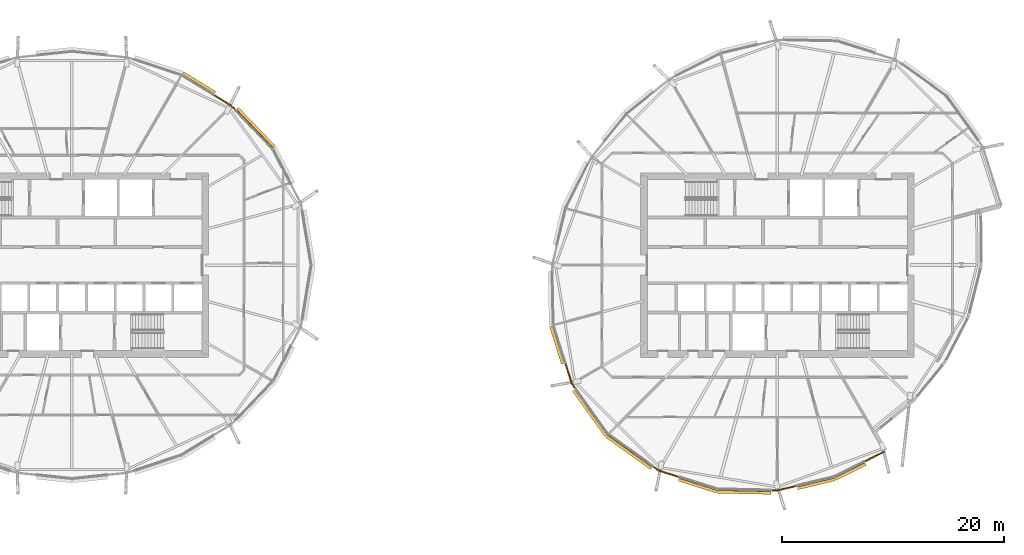
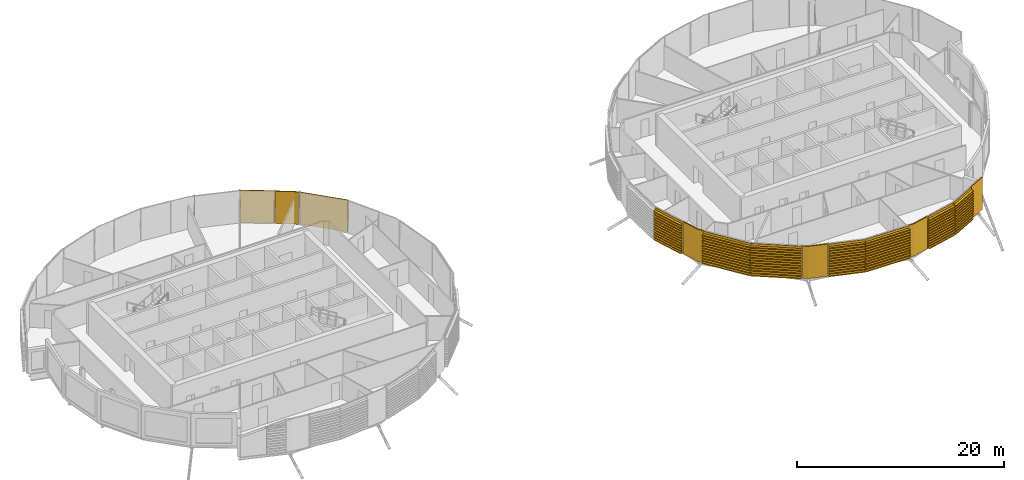
# One storey, part 33 of 35: 14 coverings.
"""IFC4 building model written with IfcOpenShell, lengths in metres."""

import ifcopenshell
import ifcopenshell.guid

model = None  # the IFC model being written
_history = None  # IfcOwnerHistory: only IFC2X3 demands one
_inside = {}  # id of a spatial element -> (the spatial element, [elements in it])
_under = {}  # id of a project, library or spatial element -> (it, [spatial elements below it])
_declared = {}  # id of a project -> (the project, [libraries it declares])
_typed = {}  # id of a type object -> (the type object, [elements of that type])
_made_of = {}  # id of a material, layer set ... -> (it, [elements and type objects made of it])


def new_model(schema):
    """Start an empty IFC model of exactly this schema.

    Asked for "IFC4X3", IfcOpenShell would pick the latest addendum, in which some entities
    have other attributes; the version numbers below select the first issue.
    IFC2X3 requires an IfcOwnerHistory on every rooted entity: one is made here for all.
    """
    global model, _history
    if schema == "IFC4X3":
        model = ifcopenshell.file(schema_version=(4, 3, 0, 0))
    else:
        model = ifcopenshell.file(schema=schema)
    _inside.clear()
    _under.clear()
    _declared.clear()
    _typed.clear()
    _made_of.clear()
    _history = None
    if model.schema == "IFC2X3":
        org = make("IfcOrganization", Name="unknown")
        user = make(
            "IfcPersonAndOrganization",
            ThePerson=make("IfcPerson", FamilyName="unknown"),
            TheOrganization=org,
        )
        app = make(
            "IfcApplication",
            ApplicationDeveloper=org,
            Version="unknown",
            ApplicationFullName="unknown",
            ApplicationIdentifier="unknown",
        )
        _history = make(
            "IfcOwnerHistory",
            OwningUser=user,
            OwningApplication=app,
            ChangeAction="ADDED",
            CreationDate=0,
        )
    return model


def make(cls, **values):
    """One entity of the class cls with the attributes given. An attribute that is None is left unset."""
    return model.create_entity(
        cls, **{name: value for name, value in values.items() if value is not None}
    )


def rooted(cls, **values):
    """An entity with a GlobalId (a new one), such as an element, a storey or a relation."""
    return make(cls, GlobalId=ifcopenshell.guid.new(), OwnerHistory=_history, **values)


def si_unit(unit_type, name, prefix=None):
    """IfcSIUnit, for example si_unit("LENGTHUNIT", "METRE", prefix="MILLI")."""
    return make("IfcSIUnit", UnitType=unit_type, Prefix=prefix, Name=name)


def assignment(units):
    """IfcUnitAssignment: the units of a project."""
    return None if units is None else make("IfcUnitAssignment", Units=units)


def point(xyz):
    """IfcCartesianPoint."""
    return None if xyz is None else make("IfcCartesianPoint", Coordinates=xyz)


def direction(xyz):
    """IfcDirection."""
    return None if xyz is None else make("IfcDirection", DirectionRatios=xyz)


def frame(location, z_axis=None, x_axis=None):
    """IfcAxis2Placement3D, a coordinate frame: its origin and axes. An axis left out is left unset."""
    return make(
        "IfcAxis2Placement3D",
        Location=point(location),
        Axis=direction(z_axis),
        RefDirection=direction(x_axis),
    )


def origin():
    """The frame at (0, 0, 0) with its axes left unset."""
    return frame((0.0, 0.0, 0.0))


def place(relative_to, where):
    """IfcLocalPlacement: puts the frame where relative to a parent placement (None: the world)."""
    return make(
        "IfcLocalPlacement", PlacementRelTo=relative_to, RelativePlacement=where
    )


def context(
    kind, dimensions, precision=None, world=None, true_north=None, identifier=None
):
    """IfcGeometricRepresentationContext, for example the 3D "Model" context."""
    return make(
        "IfcGeometricRepresentationContext",
        ContextIdentifier=identifier,
        ContextType=kind,
        CoordinateSpaceDimension=dimensions,
        Precision=precision,
        WorldCoordinateSystem=world,
        TrueNorth=true_north,
    )


def subcontext(parent, identifier, kind, view, scale=None):
    """IfcGeometricRepresentationSubContext, for example "Body" below "Model"."""
    return make(
        "IfcGeometricRepresentationSubContext",
        ContextIdentifier=identifier,
        ContextType=kind,
        ParentContext=parent,
        TargetScale=scale,
        TargetView=view,
    )


def project(units=None, contexts=None):
    """IfcProject with its units and contexts."""
    return rooted(
        "IfcProject",
        Name="project",
        RepresentationContexts=contexts,
        UnitsInContext=assignment(units),
    )


def spatial(cls, under=None, at=None, **own):
    """A site, building, storey or space (cls), placed at a placement, below another one or the project."""
    s = rooted(cls, ObjectPlacement=at, **own)
    if under is not None:
        _under.setdefault(under.id(), (under, []))[1].append(s)
    return s


def polyline(points):
    """IfcPolyline through the points."""
    return make("IfcPolyline", Points=[point(p) for p in points])


def outline(outer, holes=None, kind="AREA"):
    """IfcArbitraryClosedProfileDef: a profile drawn as a closed curve; with holes, ...WithVoids."""
    if holes is None:
        return make("IfcArbitraryClosedProfileDef", ProfileType=kind, OuterCurve=outer)
    return make(
        "IfcArbitraryProfileDefWithVoids",
        ProfileType=kind,
        OuterCurve=outer,
        InnerCurves=holes,
    )


def extrude(swept, where, along, depth):
    """IfcExtrudedAreaSolid: the profile swept, set in the frame where, extruded along a direction by depth."""
    return make(
        "IfcExtrudedAreaSolid",
        SweptArea=swept,
        Position=where,
        ExtrudedDirection=direction(along),
        Depth=depth,
    )


def shape(context_of_items, identifier, shape_type, items):
    """IfcShapeRepresentation: the items that make up one representation, for example the "Body"."""
    return make(
        "IfcShapeRepresentation",
        ContextOfItems=context_of_items,
        RepresentationIdentifier=identifier,
        RepresentationType=shape_type,
        Items=items,
    )


def material(Name=None, Category=None):
    """IfcMaterial."""
    return make("IfcMaterial", Name=Name, Category=Category)


def layer(
    of_material, thickness, ventilated=None, Name=None, Category=None, Priority=None
):
    """IfcMaterialLayer: one layer of a wall or slab, of a material (None: an air gap)."""
    return make(
        "IfcMaterialLayer",
        Material=of_material,
        LayerThickness=thickness,
        IsVentilated=ventilated,
        Name=Name,
        Category=Category,
        Priority=Priority,
    )


def layer_set(layers, Name=None):
    """IfcMaterialLayerSet."""
    return make("IfcMaterialLayerSet", MaterialLayers=layers, LayerSetName=Name)


def material_profile(
    of_material, cross_section, Name=None, Category=None, Priority=None
):
    """IfcMaterialProfile: a cross section and its material."""
    return make(
        "IfcMaterialProfile",
        Name=Name,
        Material=of_material,
        Profile=cross_section,
        Priority=Priority,
        Category=Category,
    )


def profile_set(profiles, Name=None, composite=None):
    """IfcMaterialProfileSet."""
    return make(
        "IfcMaterialProfileSet",
        Name=Name,
        MaterialProfiles=profiles,
        CompositeProfile=composite,
    )


def made_of(thing, what):
    """Note that an element or type object is made of a material, layer set ...; save() writes the relation."""
    if what is not None:
        _made_of.setdefault(what.id(), (what, []))[1].append(thing)
    return thing


def type_object(cls, material=None, **own):
    """A type object (cls), such as IfcWallType, which elements share."""
    return made_of(rooted(cls, **own), material)


def element(
    cls,
    number,
    at=None,
    inside=None,
    cuts=None,
    type_object=None,
    material=None,
    context=None,
    identifier="Body",
    shape_type=None,
    held_by="IfcProductDefinitionShape",
    body=None,
    shapes=None,
    **own,
):
    """One element of the class cls, such as IfcWall. Its Tag is "e" and its number.

    at: its placement. inside: the storey or other place that contains it. cuts: it is an
    opening in that element (IfcRelVoidsElement). A single representation is given by context,
    identifier, shape_type and body (its items); several are given by shapes. held_by: the class
    of the entity that holds the representations. save() writes the other relations.
    """
    e = rooted(cls, Tag="e%d" % number, ObjectPlacement=at, **own)
    if body is not None:
        shapes = [shape(context, identifier, shape_type, body)]
    if shapes is not None:
        e.Representation = make(held_by, Representations=shapes)
    if inside is not None:
        _inside.setdefault(inside.id(), (inside, []))[1].append(e)
    if cuts is not None:
        rooted(
            "IfcRelVoidsElement", RelatingBuildingElement=cuts, RelatedOpeningElement=e
        )
    if type_object is not None:
        _typed.setdefault(type_object.id(), (type_object, []))[1].append(e)
    return made_of(e, material)


def aggregate(whole, parts):
    """IfcRelAggregates: a whole, such as a stair, and the parts it consists of."""
    return rooted("IfcRelAggregates", RelatingObject=whole, RelatedObjects=parts)


def save(model, path):
    """Write the relations noted so far, then the file.

    IfcRelAggregates (storeys below a building ...), IfcRelContainedInSpatialStructure (elements
    in a storey), IfcRelDefinesByType, IfcRelAssociatesMaterial and IfcRelDeclares: one each for
    every whole, place, type object, material and project.
    """
    for whole, parts in _under.values():
        aggregate(whole, parts)
    for where, things in _inside.values():
        rooted(
            "IfcRelContainedInSpatialStructure",
            RelatedElements=things,
            RelatingStructure=where,
        )
    for kind, things in _typed.values():
        rooted("IfcRelDefinesByType", RelatedObjects=things, RelatingType=kind)
    for what, things in _made_of.values():
        rooted("IfcRelAssociatesMaterial", RelatedObjects=things, RelatingMaterial=what)
    for by, libraries in _declared.values():
        rooted("IfcRelDeclares", RelatingContext=by, RelatedDefinitions=libraries)
    model.write(path)


model = new_model("IFC4")

# Units and contexts
model_context = context("Model", 3, precision=1e-05, world=origin(), true_north=direction((0.0, 1.0)))
body_context = subcontext(model_context, "Body", "Model", "MODEL_VIEW")
ifc_project = project(units=[si_unit("LENGTHUNIT", "METRE"), si_unit("AREAUNIT", "SQUARE_METRE"), si_unit("VOLUMEUNIT", "CUBIC_METRE"), si_unit("PLANEANGLEUNIT", "RADIAN"), si_unit("MASSUNIT", "GRAM", prefix="KILO")], contexts=[model_context])

# Site, building, storey
site_placement = place(None, origin())
site = spatial("IfcSite", under=ifc_project, at=site_placement, CompositionType="ELEMENT")
building_placement = place(site_placement, origin())
building = spatial("IfcBuilding", under=site, at=building_placement, Name="Rimbun Link Towers", CompositionType="ELEMENT")
storey_placement = place(building_placement, frame((0.0, 0.0, 196.89990234375)))
storey = spatial("IfcBuildingStorey", under=building, at=storey_placement, Name="L48", CompositionType="ELEMENT", Elevation=196.89990234375)

# Coverings
ifc_material_1 = material(Name="Terracotta", Category="masonry")
ifc_layer = layer(ifc_material_1, 0.1201171875)
ifc_layer_set = layer_set([ifc_layer], Name="LINK PIER terracotta cladding 120")
covering_type_1 = type_object("IfcCoveringType", Name="LINK PIER terracotta cladding 120", PredefinedType="CLADDING", material=ifc_layer_set)
covering_1_placement = place(storey_placement, origin())
element("IfcCovering", 1, at=covering_1_placement, inside=storey, type_object=covering_type_1, Name="LINK PIER cladding", PredefinedType="CLADDING", context=body_context, shape_type="SweptSolid", body=[
    extrude(outline(polyline([(-18.99267578125, 15.2607421875), (-17.441650390625, 14.308349609375), (-17.081787109375, 13.93310546875), (-16.9951171875, 14.01611328125), (-17.36572265625, 14.402587890625), (-18.9296875, 15.363037109375), (-18.99267578125, 15.2607421875)])), origin(), (0.0, 0.0, 1.0), 3.800048828125),
])
covering_2_placement = place(storey_placement, origin())
element("IfcCovering", 2, at=covering_2_placement, inside=storey, type_object=covering_type_1, Name="LINK PIER cladding", PredefinedType="CLADDING", context=body_context, shape_type="SweptSolid", body=[
    extrude(outline(polyline([(13.633544921875, -11.114501953125), (13.30126953125, -10.6513671875), (12.719482421875, -8.82177734375), (12.60498046875, -8.858154296875), (13.192626953125, -10.705810546875), (13.5361328125, -11.1845703125), (13.633544921875, -11.114501953125)])), origin(), (0.0, 0.0, 1.0), 3.800048828125),
])
covering_3_placement = place(storey_placement, origin())
element("IfcCovering", 3, at=covering_3_placement, inside=storey, type_object=covering_type_1, Name="LINK PIER cladding", PredefinedType="CLADDING", context=body_context, shape_type="SweptSolid", body=[
    extrude(outline(polyline([(22.92822265625, -19.030517578125), (21.0986328125, -18.44873046875), (20.594970703125, -18.087158203125), (20.52490234375, -18.184814453125), (21.044189453125, -18.557373046875), (22.891845703125, -19.14501953125), (22.92822265625, -19.030517578125)])), origin(), (0.0, 0.0, 1.0), 3.800048828125),
])
covering_4_placement = place(storey_placement, origin())
element("IfcCovering", 4, at=covering_4_placement, inside=storey, type_object=covering_type_1, Name="LINK PIER cladding", PredefinedType="CLADDING", context=body_context, shape_type="SweptSolid", body=[
    extrude(outline(polyline([(33.471435546875, -19.823486328125), (31.75, -20.235107421875), (31.230224609375, -20.22412109375), (31.2275390625, -20.34423828125), (31.762939453125, -20.35546875), (33.499267578125, -19.940185546875), (33.471435546875, -19.823486328125)])), origin(), (0.0, 0.0, 1.0), 3.800048828125),
])
covering_5_placement = place(storey_placement, origin())
element("IfcCovering", 5, at=covering_5_placement, inside=storey, type_object=covering_type_1, Name="LINK PIER cladding", PredefinedType="CLADDING", context=body_context, shape_type="SweptSolid", body=[
    extrude(outline(polyline([(41.3798828125, -16.7392578125), (39.6015625, -17.63232421875), (39.6552734375, -17.739501953125), (41.433837890625, -16.846435546875), (41.3798828125, -16.7392578125)])), origin(), (0.0, 0.0, 1.0), 3.800048828125),
])
ifc_material_2 = material(Name="Terracotta", Category="masonry")
ifc_material_profile = material_profile(ifc_material_2, outline(polyline([(0.123046875, 0.0), (0.1630859375, 0.0), (0.1630859375, 0.10009765625), (0.423095703125, 0.10009765625), (0.423095703125, 0.219970703125), (0.1630859375, 0.219970703125), (0.1630859375, 0.39990234375), (0.423095703125, 0.39990234375), (0.423095703125, 0.52001953125), (0.1630859375, 0.52001953125), (0.1630859375, 0.699951171875), (0.423095703125, 0.699951171875), (0.423095703125, 0.820068359375), (0.1630859375, 0.820068359375), (0.1630859375, 1.0), (0.423095703125, 1.0), (0.423095703125, 1.1201171875), (0.1630859375, 1.1201171875), (0.1630859375, 1.300048828125), (0.423095703125, 1.300048828125), (0.423095703125, 1.419921875), (0.1630859375, 1.419921875), (0.1630859375, 1.60009765625), (0.423095703125, 1.60009765625), (0.423095703125, 1.719970703125), (0.1630859375, 1.719970703125), (0.1630859375, 1.89990234375), (0.423095703125, 1.89990234375), (0.423095703125, 2.02001953125), (0.1630859375, 2.02001953125), (0.1630859375, 2.199951171875), (0.423095703125, 2.199951171875), (0.423095703125, 2.320068359375), (0.1630859375, 2.320068359375), (0.1630859375, 2.5), (0.423095703125, 2.5), (0.423095703125, 2.6201171875), (0.1630859375, 2.6201171875), (0.1630859375, 2.800048828125), (0.423095703125, 2.800048828125), (0.423095703125, 2.919921875), (0.1630859375, 2.919921875), (0.1630859375, 3.10009765625), (0.423095703125, 3.10009765625), (0.423095703125, 3.219970703125), (0.1630859375, 3.219970703125), (0.1630859375, 3.39990234375), (0.423095703125, 3.39990234375), (0.423095703125, 3.52001953125), (0.1630859375, 3.52001953125), (0.1630859375, 3.800048828125), (0.123046875, 3.800048828125), (0.123046875, 0.0)])), Name="BAGUETTE 120X300")
ifc_profile_set = profile_set([ifc_material_profile], Name="Terracotta")
covering_type_2 = type_object("IfcCoveringType", Name="TERRACOTTA BAGUETTE 120X300 H3800", PredefinedType="CLADDING", material=ifc_profile_set)
covering_6_placement = place(storey_placement, frame((-17.06103515625, 13.911376953125, 0.0), z_axis=(0.692026893446, -0.721871719039, 0.0), x_axis=(0.721871719039, 0.692026893446, 0.0)))
element("IfcCovering", 6, at=covering_6_placement, inside=storey, type_object=covering_type_2, Name="TERRACOTTA BAGUETTE", PredefinedType="CLADDING", context=body_context, shape_type="SweptSolid", body=[
    extrude(outline(polyline([(0.123046875, 0.0), (0.1630859375, 0.0), (0.1630859375, 0.10009765625), (0.423095703125, 0.10009765625), (0.423095703125, 0.219970703125), (0.1630859375, 0.219970703125), (0.1630859375, 0.39990234375), (0.423095703125, 0.39990234375), (0.423095703125, 0.52001953125), (0.1630859375, 0.52001953125), (0.1630859375, 0.699951171875), (0.423095703125, 0.699951171875), (0.423095703125, 0.820068359375), (0.1630859375, 0.820068359375), (0.1630859375, 1.0), (0.423095703125, 1.0), (0.423095703125, 1.1201171875), (0.1630859375, 1.1201171875), (0.1630859375, 1.300048828125), (0.423095703125, 1.300048828125), (0.423095703125, 1.419921875), (0.1630859375, 1.419921875), (0.1630859375, 1.60009765625), (0.423095703125, 1.60009765625), (0.423095703125, 1.719970703125), (0.1630859375, 1.719970703125), (0.1630859375, 1.89990234375), (0.423095703125, 1.89990234375), (0.423095703125, 2.02001953125), (0.1630859375, 2.02001953125), (0.1630859375, 2.199951171875), (0.423095703125, 2.199951171875), (0.423095703125, 2.320068359375), (0.1630859375, 2.320068359375), (0.1630859375, 2.5), (0.423095703125, 2.5), (0.423095703125, 2.6201171875), (0.1630859375, 2.6201171875), (0.1630859375, 2.800048828125), (0.423095703125, 2.800048828125), (0.423095703125, 2.919921875), (0.1630859375, 2.919921875), (0.1630859375, 3.10009765625), (0.423095703125, 3.10009765625), (0.423095703125, 3.219970703125), (0.1630859375, 3.219970703125), (0.1630859375, 3.39990234375), (0.423095703125, 3.39990234375), (0.423095703125, 3.52001953125), (0.1630859375, 3.52001953125), (0.1630859375, 3.800048828125), (0.123046875, 3.800048828125), (0.123046875, 0.0)])), origin(), (0.0, 0.0, 1.0), 4.8427734375),
])
covering_7_placement = place(storey_placement, frame((-21.906494140625, 17.0498046875, 0.0), z_axis=(0.852192074263, -0.523229078476, 0.0), x_axis=(0.523229078476, 0.852192074263, 0.0)))
element("IfcCovering", 7, at=covering_7_placement, inside=storey, type_object=covering_type_2, Name="TERRACOTTA BAGUETTE", PredefinedType="CLADDING", context=body_context, shape_type="SweptSolid", body=[
    extrude(outline(polyline([(0.123046875, 0.0), (0.1630859375, 0.0), (0.1630859375, 0.10009765625), (0.423095703125, 0.10009765625), (0.423095703125, 0.219970703125), (0.1630859375, 0.219970703125), (0.1630859375, 0.39990234375), (0.423095703125, 0.39990234375), (0.423095703125, 0.52001953125), (0.1630859375, 0.52001953125), (0.1630859375, 0.699951171875), (0.423095703125, 0.699951171875), (0.423095703125, 0.820068359375), (0.1630859375, 0.820068359375), (0.1630859375, 1.0), (0.423095703125, 1.0), (0.423095703125, 1.1201171875), (0.1630859375, 1.1201171875), (0.1630859375, 1.300048828125), (0.423095703125, 1.300048828125), (0.423095703125, 1.419921875), (0.1630859375, 1.419921875), (0.1630859375, 1.60009765625), (0.423095703125, 1.60009765625), (0.423095703125, 1.719970703125), (0.1630859375, 1.719970703125), (0.1630859375, 1.89990234375), (0.423095703125, 1.89990234375), (0.423095703125, 2.02001953125), (0.1630859375, 2.02001953125), (0.1630859375, 2.199951171875), (0.423095703125, 2.199951171875), (0.423095703125, 2.320068359375), (0.1630859375, 2.320068359375), (0.1630859375, 2.5), (0.423095703125, 2.5), (0.423095703125, 2.6201171875), (0.1630859375, 2.6201171875), (0.1630859375, 2.800048828125), (0.423095703125, 2.800048828125), (0.423095703125, 2.919921875), (0.1630859375, 2.919921875), (0.1630859375, 3.10009765625), (0.423095703125, 3.10009765625), (0.423095703125, 3.219970703125), (0.1630859375, 3.219970703125), (0.1630859375, 3.39990234375), (0.423095703125, 3.39990234375), (0.423095703125, 3.52001953125), (0.1630859375, 3.52001953125), (0.1630859375, 3.800048828125), (0.123046875, 3.800048828125), (0.123046875, 0.0)])), origin(), (0.0, 0.0, 1.0), 3.389404296875),
])
covering_8_placement = place(storey_placement, frame((12.710205078125, -8.793212890625, 0.0), z_axis=(-0.303065321002, 0.952969785043, 0.0), x_axis=(-0.952969785043, -0.303065321002, 0.0)))
element("IfcCovering", 8, at=covering_8_placement, inside=storey, type_object=covering_type_2, Name="TERRACOTTA BAGUETTE", PredefinedType="CLADDING", context=body_context, shape_type="SweptSolid", body=[
    extrude(outline(polyline([(0.123046875, 0.0), (0.1630859375, 0.0), (0.1630859375, 0.10009765625), (0.423095703125, 0.10009765625), (0.423095703125, 0.219970703125), (0.1630859375, 0.219970703125), (0.1630859375, 0.39990234375), (0.423095703125, 0.39990234375), (0.423095703125, 0.52001953125), (0.1630859375, 0.52001953125), (0.1630859375, 0.699951171875), (0.423095703125, 0.699951171875), (0.423095703125, 0.820068359375), (0.1630859375, 0.820068359375), (0.1630859375, 1.0), (0.423095703125, 1.0), (0.423095703125, 1.1201171875), (0.1630859375, 1.1201171875), (0.1630859375, 1.300048828125), (0.423095703125, 1.300048828125), (0.423095703125, 1.419921875), (0.1630859375, 1.419921875), (0.1630859375, 1.60009765625), (0.423095703125, 1.60009765625), (0.423095703125, 1.719970703125), (0.1630859375, 1.719970703125), (0.1630859375, 1.89990234375), (0.423095703125, 1.89990234375), (0.423095703125, 2.02001953125), (0.1630859375, 2.02001953125), (0.1630859375, 2.199951171875), (0.423095703125, 2.199951171875), (0.423095703125, 2.320068359375), (0.1630859375, 2.320068359375), (0.1630859375, 2.5), (0.423095703125, 2.5), (0.423095703125, 2.6201171875), (0.1630859375, 2.6201171875), (0.1630859375, 2.800048828125), (0.423095703125, 2.800048828125), (0.423095703125, 2.919921875), (0.1630859375, 2.919921875), (0.1630859375, 3.10009765625), (0.423095703125, 3.10009765625), (0.423095703125, 3.219970703125), (0.1630859375, 3.219970703125), (0.1630859375, 3.39990234375), (0.423095703125, 3.39990234375), (0.423095703125, 3.52001953125), (0.1630859375, 3.52001953125), (0.1630859375, 3.800048828125), (0.123046875, 3.800048828125), (0.123046875, 0.0)])), origin(), (0.0, 0.0, 1.0), 3.569580078125),
])
covering_9_placement = place(storey_placement, frame((16.558837890625, -15.191162109375, 0.0), z_axis=(-0.582996394651, 0.812474740422, 0.0), x_axis=(-0.812474740422, -0.582996394651, 0.0)))
element("IfcCovering", 9, at=covering_9_placement, inside=storey, type_object=covering_type_2, Name="TERRACOTTA BAGUETTE", PredefinedType="CLADDING", context=body_context, shape_type="SweptSolid", body=[
    extrude(outline(polyline([(0.123046875, 0.0), (0.1630859375, 0.0), (0.1630859375, 0.10009765625), (0.423095703125, 0.10009765625), (0.423095703125, 0.219970703125), (0.1630859375, 0.219970703125), (0.1630859375, 0.39990234375), (0.423095703125, 0.39990234375), (0.423095703125, 0.52001953125), (0.1630859375, 0.52001953125), (0.1630859375, 0.699951171875), (0.423095703125, 0.699951171875), (0.423095703125, 0.820068359375), (0.1630859375, 0.820068359375), (0.1630859375, 1.0), (0.423095703125, 1.0), (0.423095703125, 1.1201171875), (0.1630859375, 1.1201171875), (0.1630859375, 1.300048828125), (0.423095703125, 1.300048828125), (0.423095703125, 1.419921875), (0.1630859375, 1.419921875), (0.1630859375, 1.60009765625), (0.423095703125, 1.60009765625), (0.423095703125, 1.719970703125), (0.1630859375, 1.719970703125), (0.1630859375, 1.89990234375), (0.423095703125, 1.89990234375), (0.423095703125, 2.02001953125), (0.1630859375, 2.02001953125), (0.1630859375, 2.199951171875), (0.423095703125, 2.199951171875), (0.423095703125, 2.320068359375), (0.1630859375, 2.320068359375), (0.1630859375, 2.5), (0.423095703125, 2.5), (0.423095703125, 2.6201171875), (0.1630859375, 2.6201171875), (0.1630859375, 2.800048828125), (0.423095703125, 2.800048828125), (0.423095703125, 2.919921875), (0.1630859375, 2.919921875), (0.1630859375, 3.10009765625), (0.423095703125, 3.10009765625), (0.423095703125, 3.219970703125), (0.1630859375, 3.219970703125), (0.1630859375, 3.39990234375), (0.423095703125, 3.39990234375), (0.423095703125, 3.52001953125), (0.1630859375, 3.52001953125), (0.1630859375, 3.800048828125), (0.123046875, 3.800048828125), (0.123046875, 0.0)])), origin(), (0.0, 0.0, 1.0), 4.987548828125),
])
covering_10_placement = place(storey_placement, frame((20.570556640625, -18.06982421875, 0.0), z_axis=(-0.812472062268, 0.583000126959, 0.0), x_axis=(-0.583000126959, -0.812472062268, 0.0)))
element("IfcCovering", 10, at=covering_10_placement, inside=storey, type_object=covering_type_2, Name="TERRACOTTA BAGUETTE", PredefinedType="CLADDING", context=body_context, shape_type="SweptSolid", body=[
    extrude(outline(polyline([(0.123046875, 0.0), (0.1630859375, 0.0), (0.1630859375, 0.10009765625), (0.423095703125, 0.10009765625), (0.423095703125, 0.219970703125), (0.1630859375, 0.219970703125), (0.1630859375, 0.39990234375), (0.423095703125, 0.39990234375), (0.423095703125, 0.52001953125), (0.1630859375, 0.52001953125), (0.1630859375, 0.699951171875), (0.423095703125, 0.699951171875), (0.423095703125, 0.820068359375), (0.1630859375, 0.820068359375), (0.1630859375, 1.0), (0.423095703125, 1.0), (0.423095703125, 1.1201171875), (0.1630859375, 1.1201171875), (0.1630859375, 1.300048828125), (0.423095703125, 1.300048828125), (0.423095703125, 1.419921875), (0.1630859375, 1.419921875), (0.1630859375, 1.60009765625), (0.423095703125, 1.60009765625), (0.423095703125, 1.719970703125), (0.1630859375, 1.719970703125), (0.1630859375, 1.89990234375), (0.423095703125, 1.89990234375), (0.423095703125, 2.02001953125), (0.1630859375, 2.02001953125), (0.1630859375, 2.199951171875), (0.423095703125, 2.199951171875), (0.423095703125, 2.320068359375), (0.1630859375, 2.320068359375), (0.1630859375, 2.5), (0.423095703125, 2.5), (0.423095703125, 2.6201171875), (0.1630859375, 2.6201171875), (0.1630859375, 2.800048828125), (0.423095703125, 2.800048828125), (0.423095703125, 2.919921875), (0.1630859375, 2.919921875), (0.1630859375, 3.10009765625), (0.423095703125, 3.10009765625), (0.423095703125, 3.219970703125), (0.1630859375, 3.219970703125), (0.1630859375, 3.39990234375), (0.423095703125, 3.39990234375), (0.423095703125, 3.52001953125), (0.1630859375, 3.52001953125), (0.1630859375, 3.800048828125), (0.123046875, 3.800048828125), (0.123046875, 0.0)])), origin(), (0.0, 0.0, 1.0), 4.937744140625),
])
covering_11_placement = place(storey_placement, frame((26.3583984375, -20.12158203125, 0.0), z_axis=(-0.952969785043, 0.303065321002, 0.0), x_axis=(-0.303065321002, -0.952969785043, 0.0)))
element("IfcCovering", 11, at=covering_11_placement, inside=storey, type_object=covering_type_2, Name="TERRACOTTA BAGUETTE", PredefinedType="CLADDING", context=body_context, shape_type="SweptSolid", body=[
    extrude(outline(polyline([(0.123046875, 0.0), (0.1630859375, 0.0), (0.1630859375, 0.10009765625), (0.423095703125, 0.10009765625), (0.423095703125, 0.219970703125), (0.1630859375, 0.219970703125), (0.1630859375, 0.39990234375), (0.423095703125, 0.39990234375), (0.423095703125, 0.52001953125), (0.1630859375, 0.52001953125), (0.1630859375, 0.699951171875), (0.423095703125, 0.699951171875), (0.423095703125, 0.820068359375), (0.1630859375, 0.820068359375), (0.1630859375, 1.0), (0.423095703125, 1.0), (0.423095703125, 1.1201171875), (0.1630859375, 1.1201171875), (0.1630859375, 1.300048828125), (0.423095703125, 1.300048828125), (0.423095703125, 1.419921875), (0.1630859375, 1.419921875), (0.1630859375, 1.60009765625), (0.423095703125, 1.60009765625), (0.423095703125, 1.719970703125), (0.1630859375, 1.719970703125), (0.1630859375, 1.89990234375), (0.423095703125, 1.89990234375), (0.423095703125, 2.02001953125), (0.1630859375, 2.02001953125), (0.1630859375, 2.199951171875), (0.423095703125, 2.199951171875), (0.423095703125, 2.320068359375), (0.1630859375, 2.320068359375), (0.1630859375, 2.5), (0.423095703125, 2.5), (0.423095703125, 2.6201171875), (0.1630859375, 2.6201171875), (0.1630859375, 2.800048828125), (0.423095703125, 2.800048828125), (0.423095703125, 2.919921875), (0.1630859375, 2.919921875), (0.1630859375, 3.10009765625), (0.423095703125, 3.10009765625), (0.423095703125, 3.219970703125), (0.1630859375, 3.219970703125), (0.1630859375, 3.39990234375), (0.423095703125, 3.39990234375), (0.423095703125, 3.52001953125), (0.1630859375, 3.52001953125), (0.1630859375, 3.800048828125), (0.123046875, 3.800048828125), (0.123046875, 0.0)])), origin(), (0.0, 0.0, 1.0), 3.569580078125),
])
covering_12_placement = place(storey_placement, frame((31.2001953125, -20.2236328125, 0.0), z_axis=(-0.99977795302, 0.021072367102, 0.0), x_axis=(-0.021072367102, -0.99977795302, 0.0)))
element("IfcCovering", 12, at=covering_12_placement, inside=storey, type_object=covering_type_2, Name="TERRACOTTA BAGUETTE", PredefinedType="CLADDING", context=body_context, shape_type="SweptSolid", body=[
    extrude(outline(polyline([(0.123046875, 0.0), (0.1630859375, 0.0), (0.1630859375, 0.10009765625), (0.423095703125, 0.10009765625), (0.423095703125, 0.219970703125), (0.1630859375, 0.219970703125), (0.1630859375, 0.39990234375), (0.423095703125, 0.39990234375), (0.423095703125, 0.52001953125), (0.1630859375, 0.52001953125), (0.1630859375, 0.699951171875), (0.423095703125, 0.699951171875), (0.423095703125, 0.820068359375), (0.1630859375, 0.820068359375), (0.1630859375, 1.0), (0.423095703125, 1.0), (0.423095703125, 1.1201171875), (0.1630859375, 1.1201171875), (0.1630859375, 1.300048828125), (0.423095703125, 1.300048828125), (0.423095703125, 1.419921875), (0.1630859375, 1.419921875), (0.1630859375, 1.60009765625), (0.423095703125, 1.60009765625), (0.423095703125, 1.719970703125), (0.1630859375, 1.719970703125), (0.1630859375, 1.89990234375), (0.423095703125, 1.89990234375), (0.423095703125, 2.02001953125), (0.1630859375, 2.02001953125), (0.1630859375, 2.199951171875), (0.423095703125, 2.199951171875), (0.423095703125, 2.320068359375), (0.1630859375, 2.320068359375), (0.1630859375, 2.5), (0.423095703125, 2.5), (0.423095703125, 2.6201171875), (0.1630859375, 2.6201171875), (0.1630859375, 2.800048828125), (0.423095703125, 2.800048828125), (0.423095703125, 2.919921875), (0.1630859375, 2.919921875), (0.1630859375, 3.10009765625), (0.423095703125, 3.10009765625), (0.423095703125, 3.219970703125), (0.1630859375, 3.219970703125), (0.1630859375, 3.39990234375), (0.423095703125, 3.39990234375), (0.423095703125, 3.52001953125), (0.1630859375, 3.52001953125), (0.1630859375, 3.800048828125), (0.123046875, 3.800048828125), (0.123046875, 0.0)])), origin(), (0.0, 0.0, 1.0), 4.8427734375),
])
covering_13_placement = place(storey_placement, frame((36.845458984375, -19.016357421875, 0.0), z_axis=(-0.97256422838, -0.232634523825, 0.0), x_axis=(0.232634523825, -0.97256422838, 0.0)))
element("IfcCovering", 13, at=covering_13_placement, inside=storey, type_object=covering_type_2, Name="TERRACOTTA BAGUETTE", PredefinedType="CLADDING", context=body_context, shape_type="SweptSolid", body=[
    extrude(outline(polyline([(0.123046875, 0.0), (0.1630859375, 0.0), (0.1630859375, 0.10009765625), (0.423095703125, 0.10009765625), (0.423095703125, 0.219970703125), (0.1630859375, 0.219970703125), (0.1630859375, 0.39990234375), (0.423095703125, 0.39990234375), (0.423095703125, 0.52001953125), (0.1630859375, 0.52001953125), (0.1630859375, 0.699951171875), (0.423095703125, 0.699951171875), (0.423095703125, 0.820068359375), (0.1630859375, 0.820068359375), (0.1630859375, 1.0), (0.423095703125, 1.0), (0.423095703125, 1.1201171875), (0.1630859375, 1.1201171875), (0.1630859375, 1.300048828125), (0.423095703125, 1.300048828125), (0.423095703125, 1.419921875), (0.1630859375, 1.419921875), (0.1630859375, 1.60009765625), (0.423095703125, 1.60009765625), (0.423095703125, 1.719970703125), (0.1630859375, 1.719970703125), (0.1630859375, 1.89990234375), (0.423095703125, 1.89990234375), (0.423095703125, 2.02001953125), (0.1630859375, 2.02001953125), (0.1630859375, 2.199951171875), (0.423095703125, 2.199951171875), (0.423095703125, 2.320068359375), (0.1630859375, 2.320068359375), (0.1630859375, 2.5), (0.423095703125, 2.5), (0.423095703125, 2.6201171875), (0.1630859375, 2.6201171875), (0.1630859375, 2.800048828125), (0.423095703125, 2.800048828125), (0.423095703125, 2.919921875), (0.1630859375, 2.919921875), (0.1630859375, 3.10009765625), (0.423095703125, 3.10009765625), (0.423095703125, 3.219970703125), (0.1630859375, 3.219970703125), (0.1630859375, 3.39990234375), (0.423095703125, 3.39990234375), (0.423095703125, 3.52001953125), (0.1630859375, 3.52001953125), (0.1630859375, 3.800048828125), (0.123046875, 3.800048828125), (0.123046875, 0.0)])), origin(), (0.0, 0.0, 1.0), 3.43896484375),
])
covering_14_placement = place(storey_placement, frame((39.57470703125, -17.645751953125, 0.0), z_axis=(-0.893642412671, -0.448779721329, 0.0), x_axis=(0.448779721329, -0.893642412671, 0.0)))
element("IfcCovering", 14, at=covering_14_placement, inside=storey, type_object=covering_type_2, Name="TERRACOTTA BAGUETTE", PredefinedType="CLADDING", context=body_context, shape_type="SweptSolid", body=[
    extrude(outline(polyline([(0.123046875, 0.0), (0.1630859375, 0.0), (0.1630859375, 0.10009765625), (0.423095703125, 0.10009765625), (0.423095703125, 0.219970703125), (0.1630859375, 0.219970703125), (0.1630859375, 0.39990234375), (0.423095703125, 0.39990234375), (0.423095703125, 0.52001953125), (0.1630859375, 0.52001953125), (0.1630859375, 0.699951171875), (0.423095703125, 0.699951171875), (0.423095703125, 0.820068359375), (0.1630859375, 0.820068359375), (0.1630859375, 1.0), (0.423095703125, 1.0), (0.423095703125, 1.1201171875), (0.1630859375, 1.1201171875), (0.1630859375, 1.300048828125), (0.423095703125, 1.300048828125), (0.423095703125, 1.419921875), (0.1630859375, 1.419921875), (0.1630859375, 1.60009765625), (0.423095703125, 1.60009765625), (0.423095703125, 1.719970703125), (0.1630859375, 1.719970703125), (0.1630859375, 1.89990234375), (0.423095703125, 1.89990234375), (0.423095703125, 2.02001953125), (0.1630859375, 2.02001953125), (0.1630859375, 2.199951171875), (0.423095703125, 2.199951171875), (0.423095703125, 2.320068359375), (0.1630859375, 2.320068359375), (0.1630859375, 2.5), (0.423095703125, 2.5), (0.423095703125, 2.6201171875), (0.1630859375, 2.6201171875), (0.1630859375, 2.800048828125), (0.423095703125, 2.800048828125), (0.423095703125, 2.919921875), (0.1630859375, 2.919921875), (0.1630859375, 3.10009765625), (0.423095703125, 3.10009765625), (0.423095703125, 3.219970703125), (0.1630859375, 3.219970703125), (0.1630859375, 3.39990234375), (0.423095703125, 3.39990234375), (0.423095703125, 3.52001953125), (0.1630859375, 3.52001953125), (0.1630859375, 3.800048828125), (0.123046875, 3.800048828125), (0.123046875, 0.0)])), origin(), (0.0, 0.0, 1.0), 3.053955078125),
])

save(model, "model.ifc")
